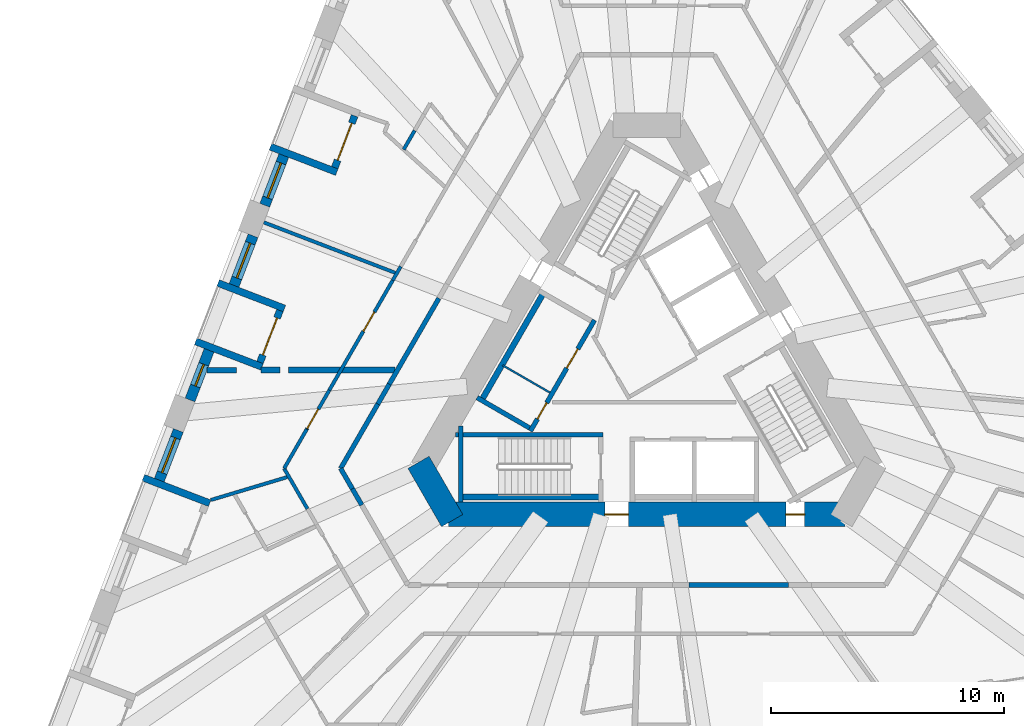
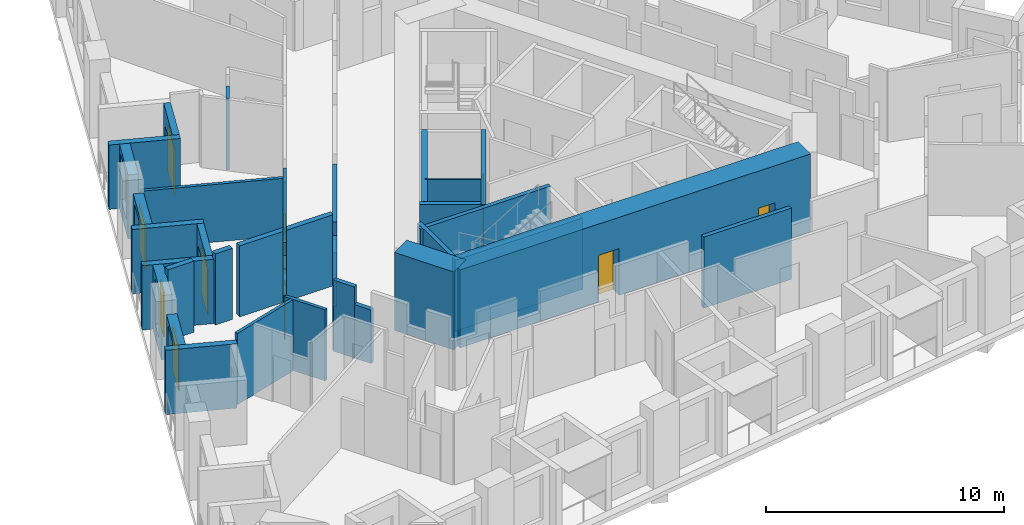
# One storey, part 4 of 14: 36 walls, 8 doors, 4 windows, 12 openings.
"""IFC4 building model written with IfcOpenShell, lengths in metres."""

from ifc_helpers import new_model, si_unit, direction, frame, frame_2d, origin, place, context, subcontext, project, spatial, polyline, rectangle, outline, extrude, material, layer, layer_set, type_object, element, fill, save


model = new_model("IFC4")

# Units and contexts
model_context = context("Model", 3, precision=1e-05, world=origin(), true_north=direction((0.0, 1.0)))
body_context = subcontext(model_context, "Body", "Model", "MODEL_VIEW")
ifc_project = project(units=[si_unit("LENGTHUNIT", "METRE"), si_unit("AREAUNIT", "SQUARE_METRE"), si_unit("VOLUMEUNIT", "CUBIC_METRE"), si_unit("PLANEANGLEUNIT", "RADIAN"), si_unit("MASSUNIT", "GRAM", prefix="KILO")], contexts=[model_context])

# Site, building, storey
site_placement = place(None, origin())
site = spatial("IfcSite", under=ifc_project, at=site_placement, CompositionType="ELEMENT")
building_placement = place(site_placement, origin())
building = spatial("IfcBuilding", under=site, at=building_placement, Name="Tramontana Tower", CompositionType="ELEMENT")
storey_placement = place(building_placement, frame((0.0, 0.0, 63.199951171875)))
storey = spatial("IfcBuildingStorey", under=building, at=storey_placement, Name="L13", CompositionType="ELEMENT", Elevation=63.199951171875)

# Wall
ifc_material_1 = material(Name="Concrete 70 MPa", Category="concrete")
ifc_layer_1 = layer(ifc_material_1, 1.050048828125)
ifc_layer_set_1 = layer_set([ifc_layer_1], Name="Core wall 1050 70 MPa")
wall_type_1 = type_object("IfcWallType", Name="Core wall 1050 70 MPa", PredefinedType="SHEAR", material=ifc_layer_set_1)
wall_1_placement = place(storey_placement, frame((-9.793212890625, -3.987548828125, 0.0), z_axis=(0.0, 0.0, 1.0), x_axis=(0.499995765644, -0.866027848477, 0.0)))
element("IfcWall", 1, at=wall_1_placement, inside=storey, type_object=wall_type_1, Name="Core wall C2 L13", PredefinedType="SHEAR", context=body_context, shape_type="SweptSolid", body=[
    extrude(rectangle(XDim=2.88671875, YDim=1.050048828125, at=frame_2d((1.443359375, 0.0))), origin(), (0.0, 0.0, 1.0), 4.0),
])

# Wall, openings, doors
wall_2_placement = place(storey_placement, frame((-8.50146484375, -6.22509765625, 0.0), z_axis=(0.0, 0.0, 1.0), x_axis=(1.0, 0.0, 0.0)))
wall_2 = element("IfcWall", 2, at=wall_2_placement, inside=storey, type_object=wall_type_1, Name="Core wall C3 L13", PredefinedType="SHEAR", context=body_context, shape_type="SweptSolid", body=[
    extrude(rectangle(XDim=17.0029296875, YDim=1.050048828125, at=frame_2d((8.50146484375, 0.0))), origin(), (0.0, 0.0, 1.0), 4.0),
])
opening_1_placement = place(wall_2_placement, frame((6.70654296875, 0.0, 0.0)))
opening_1 = element("IfcOpeningElement", 3, at=opening_1_placement, cuts=wall_2, Name="Opening RG2", PredefinedType="OPENING", context=body_context, shape_type="SweptSolid", body=[
    extrude(rectangle(XDim=1.0, YDim=2.39990234375, at=frame_2d((0.5, 1.199951171875))), frame((0.0, 0.534912109375, 0.0), z_axis=(0.0, -1.0, 0.0), x_axis=(1.0, 0.0, 0.0)), (0.0, 0.0, 1.0), 1.070068359375),
])
opening_2_placement = place(wall_2_placement, frame((14.472412109375, 0.0, 0.0)))
opening_2 = element("IfcOpeningElement", 4, at=opening_2_placement, cuts=wall_2, Name="Opening PD2", PredefinedType="OPENING", context=body_context, shape_type="SweptSolid", body=[
    extrude(rectangle(XDim=0.800048828125, YDim=2.10009765625, at=frame_2d((0.39990234375, 1.050048828125))), frame((0.0, 0.534912109375, 0.0), z_axis=(0.0, -1.0, 0.0), x_axis=(1.0, 0.0, 0.0)), (0.0, 0.0, 1.0), 1.070068359375),
])
ifc_material_2 = material(Name="Painted steel", Category="steel")
door_type_1 = type_object("IfcDoorType", Name="CUPBOARD DOOR 800", OperationType="SINGLE_SWING_LEFT", PredefinedType="DOOR", material=ifc_material_2)
door_1_placement = place(opening_2_placement, origin())
door_1 = element("IfcDoor", 5, at=door_1_placement, inside=storey, type_object=door_type_1, Name="Door PD2", OperationType="SINGLE_SWING_LEFT", OverallHeight=2.10009765625, OverallWidth=0.800048828125, PredefinedType="DOOR", context=body_context, shape_type="SweptSolid", body=[
    extrude(rectangle(XDim=0.800048828125, YDim=2.10009765625, at=frame_2d((0.39990234375, 1.050048828125))), frame((0.0, 0.02490234375, 0.0), z_axis=(0.0, -1.0, 0.0), x_axis=(1.0, 0.0, 0.0)), (0.0, 0.0, 1.0), 0.050048828125),
])
fill(opening_2, door_1)
ifc_material_3 = material(Name="Painted steel", Category="steel")
door_type_2 = type_object("IfcDoorType", Name="RING DOOR 1000", OperationType="SINGLE_SWING_LEFT", PredefinedType="DOOR", material=ifc_material_3)
door_2_placement = place(opening_1_placement, origin())
door_2 = element("IfcDoor", 6, at=door_2_placement, inside=storey, type_object=door_type_2, Name="Door RG2", OperationType="SINGLE_SWING_LEFT", OverallHeight=2.39990234375, OverallWidth=1.0, PredefinedType="DOOR", context=body_context, shape_type="SweptSolid", body=[
    extrude(rectangle(XDim=1.0, YDim=2.39990234375, at=frame_2d((0.5, 1.199951171875))), frame((0.0, 0.02490234375, 0.0), z_axis=(0.0, -1.0, 0.0), x_axis=(1.0, 0.0, 0.0)), (0.0, 0.0, 1.0), 0.050048828125),
])
fill(opening_1, door_2)

# Walls
ifc_material_4 = material(Name="Blockwork", Category="masonry")
ifc_layer_2 = layer(ifc_material_4, 0.199951171875)
ifc_layer_set_2 = layer_set([ifc_layer_2], Name="ENTRY WALL 200")
wall_type_2 = type_object("IfcWallType", Name="ENTRY WALL 200", PredefinedType="SOLIDWALL", material=ifc_layer_set_2)
wall_3_placement = place(storey_placement, frame((6.076171875, -9.25, 0.0), z_axis=(0.0, 0.0, 1.0), x_axis=(-1.0, 0.0, 0.0)))
element("IfcWall", 7, at=wall_3_placement, inside=storey, type_object=wall_type_2, Name="Wall v11-ew2-2", PredefinedType="SOLIDWALL", context=body_context, shape_type="SweptSolid", body=[
    extrude(rectangle(XDim=4.2568359375, YDim=0.199951171875, at=frame_2d((2.12841796875, 0.0))), origin(), (0.0, 0.0, 1.0), 3.650146484375),
])
wall_4_placement = place(storey_placement, frame((-12.228515625, -5.819580078125, 0.0), z_axis=(0.0, 0.0, 1.0), x_axis=(-0.499923776705, 0.866069406852, 0.0)))
element("IfcWall", 8, at=wall_4_placement, inside=storey, type_object=wall_type_2, Name="Wall v11-ew3-4", PredefinedType="SOLIDWALL", context=body_context, shape_type="SweptSolid", body=[
    extrude(rectangle(XDim=0.804931640625, YDim=0.199951171875, at=frame_2d((0.40234375, 0.0))), origin(), (0.0, 0.0, 1.0), 2.75),
])
wall_5_placement = place(storey_placement, frame((-12.630859375, -5.12255859375, 0.0), z_axis=(0.0, 0.0, 1.0), x_axis=(-0.500099969036, 0.865967678941, 0.0)))
element("IfcWall", 9, at=wall_5_placement, inside=storey, type_object=wall_type_2, Name="Wall v11-ew3-5", PredefinedType="SOLIDWALL", context=body_context, shape_type="SweptSolid", body=[
    extrude(rectangle(XDim=1.007568359375, YDim=0.199951171875, at=frame_2d((0.50390625, 0.0))), origin(), (0.0, 0.0, 1.0), 3.650146484375),
])
wall_6_placement = place(storey_placement, frame((-13.134765625, -4.25, 0.0), z_axis=(0.0, 0.0, 1.0), x_axis=(0.50003154259, 0.866007191896, 0.0)))
element("IfcWall", 10, at=wall_6_placement, inside=storey, type_object=wall_type_2, Name="Wall v11-ew4-0", PredefinedType="SOLIDWALL", context=body_context, shape_type="SweptSolid", body=[
    extrude(rectangle(XDim=3.190673828125, YDim=0.199951171875, at=frame_2d((1.59521484375, 0.0))), origin(), (0.0, 0.0, 1.0), 3.650146484375),
])
wall_7_placement = place(storey_placement, frame((-11.539306640625, -1.48681640625, 0.0), z_axis=(0.0, 0.0, 1.0), x_axis=(0.499966601515, 0.86604468555, 0.0)))
element("IfcWall", 11, at=wall_7_placement, inside=storey, type_object=wall_type_2, Name="Wall v11-ew4-1", PredefinedType="SOLIDWALL", context=body_context, shape_type="SweptSolid", body=[
    extrude(rectangle(XDim=0.98095703125, YDim=0.199951171875, at=frame_2d((0.490478515625, 0.0))), origin(), (0.0, 0.0, 1.0), 2.75),
])
wall_8_placement = place(storey_placement, frame((-11.048828125, -0.63720703125, 0.0), z_axis=(0.0, 0.0, 1.0), x_axis=(0.500000470374, 0.866025132214, 0.0)))
element("IfcWall", 12, at=wall_8_placement, inside=storey, type_object=wall_type_2, Name="Wall v11-ew4-2", PredefinedType="SOLIDWALL", context=body_context, shape_type="SweptSolid", body=[
    extrude(rectangle(XDim=4.2568359375, YDim=0.199951171875, at=frame_2d((2.12841796875, 0.0))), origin(), (0.0, 0.0, 1.0), 3.650146484375),
])

# Wall, opening, window
ifc_material_5 = material(Name="Precast concrete 60 MPa", Category="concrete")
ifc_layer_3 = layer(ifc_material_5, 0.449951171875)
ifc_layer_set_3 = layer_set([ifc_layer_3], Name="Precast concrete 60 MPa, 450 mm")
wall_type_3 = type_object("IfcWallType", Name="EW1 Stone-faced precast wall 450", PredefinedType="SOLIDWALL", material=ifc_layer_set_3)
wall_9_placement = place(storey_placement, frame((-15.572021484375, 9.1728515625, 0.0), z_axis=(0.0, 0.0, 1.0), x_axis=(-0.358355550725, -0.933585185864, 0.0)))
wall_9 = element("IfcWall", 13, at=wall_9_placement, inside=storey, type_object=wall_type_3, Name="External wall L13 face 0 bay 3", PredefinedType="SOLIDWALL", context=body_context, shape_type="SweptSolid", body=[
    extrude(rectangle(XDim=2.282958984375, YDim=0.449951171875, at=frame_2d((1.1416015625, 0.0))), origin(), (0.0, 0.0, 1.0), 3.300048828125),
])
opening_3_placement = place(wall_9_placement, frame((0.341552734375, 0.0, 0.699951171875)))
opening_3 = element("IfcOpeningElement", 14, at=opening_3_placement, cuts=wall_9, Name="Opening M1", PredefinedType="OPENING", context=body_context, shape_type="SweptSolid", body=[
    extrude(rectangle(XDim=1.60009765625, YDim=2.300048828125, at=frame_2d((0.800048828125, 1.14990234375))), frame((0.0, 0.23486328125, 0.0), z_axis=(0.0, -1.0, 0.0), x_axis=(1.0, 0.0, 0.0)), (0.0, 0.0, 1.0), 0.469970703125),
])
ifc_material_6 = material(Name="Aluminum frame, double glazing unit", Category="aluminium")
window_type_1 = type_object("IfcWindowType", Name="M1 Window 1.6 x 2.3", PartitioningType="SINGLE_PANEL", PredefinedType="WINDOW", material=ifc_material_6)
window_1_placement = place(opening_3_placement, origin())
window_1 = element("IfcWindow", 15, at=window_1_placement, inside=storey, type_object=window_type_1, Name="Window M1 L13 face 0 module 9", OverallHeight=2.300048828125, OverallWidth=1.60009765625, PartitioningType="SINGLE_PANEL", PredefinedType="WINDOW", context=body_context, shape_type="SweptSolid", body=[
    extrude(rectangle(XDim=1.60009765625, YDim=2.300048828125, at=frame_2d((0.800048828125, 1.14990234375))), frame((0.0, 0.030029296875, 0.0), z_axis=(0.0, -1.0, 0.0), x_axis=(1.0, 0.0, 0.0)), (0.0, 0.0, 1.0), 0.06005859375),
])
fill(opening_3, window_1)

wall_10_placement = place(storey_placement, frame((-16.891845703125, 5.734375, 0.0), z_axis=(0.0, 0.0, 1.0), x_axis=(-0.358355550725, -0.933585185864, 0.0)))
wall_10 = element("IfcWall", 16, at=wall_10_placement, inside=storey, type_object=wall_type_3, Name="External wall L13 face 0 bay 4", PredefinedType="SOLIDWALL", context=body_context, shape_type="SweptSolid", body=[
    extrude(rectangle(XDim=2.282958984375, YDim=0.449951171875, at=frame_2d((1.1416015625, 0.0))), origin(), (0.0, 0.0, 1.0), 3.300048828125),
])
opening_4_placement = place(wall_10_placement, frame((0.341552734375, 0.0, 0.699951171875)))
opening_4 = element("IfcOpeningElement", 17, at=opening_4_placement, cuts=wall_10, Name="Opening M1", PredefinedType="OPENING", context=body_context, shape_type="SweptSolid", body=[
    extrude(rectangle(XDim=1.60009765625, YDim=2.300048828125, at=frame_2d((0.800048828125, 1.14990234375))), frame((0.0, 0.23486328125, 0.0), z_axis=(0.0, -1.0, 0.0), x_axis=(1.0, 0.0, 0.0)), (0.0, 0.0, 1.0), 0.469970703125),
])
window_2_placement = place(opening_4_placement, origin())
window_2 = element("IfcWindow", 18, at=window_2_placement, inside=storey, type_object=window_type_1, Name="Window M1 L13 face 0 module 10", OverallHeight=2.300048828125, OverallWidth=1.60009765625, PartitioningType="SINGLE_PANEL", PredefinedType="WINDOW", context=body_context, shape_type="SweptSolid", body=[
    extrude(rectangle(XDim=1.60009765625, YDim=2.300048828125, at=frame_2d((0.800048828125, 1.14990234375))), frame((0.0, 0.030029296875, 0.0), z_axis=(0.0, -1.0, 0.0), x_axis=(1.0, 0.0, 0.0)), (0.0, 0.0, 1.0), 0.06005859375),
])
fill(opening_4, window_2)

wall_11_placement = place(storey_placement, frame((-18.779052734375, 0.818115234375, 0.0), z_axis=(0.0, 0.0, 1.0), x_axis=(-0.358355550725, -0.933585185864, 0.0)))
wall_11 = element("IfcWall", 19, at=wall_11_placement, inside=storey, type_object=wall_type_3, Name="External wall L13 face 0 bay 4", PredefinedType="SOLIDWALL", context=body_context, shape_type="SweptSolid", body=[
    extrude(rectangle(XDim=2.282958984375, YDim=0.449951171875, at=frame_2d((1.1416015625, 0.0))), origin(), (0.0, 0.0, 1.0), 3.300048828125),
])
opening_5_placement = place(wall_11_placement, frame((0.6416015625, 0.0, 0.699951171875)))
opening_5 = element("IfcOpeningElement", 20, at=opening_5_placement, cuts=wall_11, Name="Opening N1", PredefinedType="OPENING", context=body_context, shape_type="SweptSolid", body=[
    extrude(rectangle(XDim=1.0, YDim=2.300048828125, at=frame_2d((0.5, 1.14990234375))), frame((0.0, 0.23486328125, 0.0), z_axis=(0.0, -1.0, 0.0), x_axis=(1.0, 0.0, 0.0)), (0.0, 0.0, 1.0), 0.469970703125),
])
ifc_material_7 = material(Name="Aluminum frame, double glazing unit", Category="aluminium")
window_type_2 = type_object("IfcWindowType", Name="N1 Window 1 x 2.3", PartitioningType="SINGLE_PANEL", PredefinedType="WINDOW", material=ifc_material_7)
window_3_placement = place(opening_5_placement, origin())
window_3 = element("IfcWindow", 21, at=window_3_placement, inside=storey, type_object=window_type_2, Name="Window N1 L13 face 0 module 12", OverallHeight=2.300048828125, OverallWidth=1.0, PartitioningType="SINGLE_PANEL", PredefinedType="WINDOW", context=body_context, shape_type="SweptSolid", body=[
    extrude(rectangle(XDim=1.0, YDim=2.300048828125, at=frame_2d((0.5, 1.14990234375))), frame((0.0, 0.030029296875, 0.0), z_axis=(0.0, -1.0, 0.0), x_axis=(1.0, 0.0, 0.0)), (0.0, 0.0, 1.0), 0.06005859375),
])
fill(opening_5, window_3)

wall_12_placement = place(storey_placement, frame((-20.098876953125, -2.6201171875, 0.0), z_axis=(0.0, 0.0, 1.0), x_axis=(-0.358355550725, -0.933585185864, 0.0)))
wall_12 = element("IfcWall", 22, at=wall_12_placement, inside=storey, type_object=wall_type_3, Name="External wall L13 face 0 bay 5", PredefinedType="SOLIDWALL", context=body_context, shape_type="SweptSolid", body=[
    extrude(rectangle(XDim=2.282958984375, YDim=0.449951171875, at=frame_2d((1.1416015625, 0.0))), origin(), (0.0, 0.0, 1.0), 3.300048828125),
])
opening_6_placement = place(wall_12_placement, frame((0.341552734375, 0.0, 0.699951171875)))
opening_6 = element("IfcOpeningElement", 23, at=opening_6_placement, cuts=wall_12, Name="Opening M1", PredefinedType="OPENING", context=body_context, shape_type="SweptSolid", body=[
    extrude(rectangle(XDim=1.60009765625, YDim=2.300048828125, at=frame_2d((0.800048828125, 1.14990234375))), frame((0.0, 0.23486328125, 0.0), z_axis=(0.0, -1.0, 0.0), x_axis=(1.0, 0.0, 0.0)), (0.0, 0.0, 1.0), 0.469970703125),
])
window_4_placement = place(opening_6_placement, origin())
window_4 = element("IfcWindow", 24, at=window_4_placement, inside=storey, type_object=window_type_1, Name="Window M1 L13 face 0 module 13", OverallHeight=2.300048828125, OverallWidth=1.60009765625, PartitioningType="SINGLE_PANEL", PredefinedType="WINDOW", context=body_context, shape_type="SweptSolid", body=[
    extrude(rectangle(XDim=1.60009765625, YDim=2.300048828125, at=frame_2d((0.800048828125, 1.14990234375))), frame((0.0, 0.030029296875, 0.0), z_axis=(0.0, -1.0, 0.0), x_axis=(1.0, 0.0, 0.0)), (0.0, 0.0, 1.0), 0.06005859375),
])
fill(opening_6, window_4)

# Wall, opening, door
ifc_material_8 = material(Name="Precast concrete 60 MPa", Category="concrete")
ifc_layer_4 = layer(ifc_material_8, 0.300048828125)
ifc_layer_set_4 = layer_set([ifc_layer_4], Name="LW1 Stone-faced loggia wall 300")
wall_type_4 = type_object("IfcWallType", Name="LW1 Stone-faced loggia wall 300", PredefinedType="SOLIDWALL", material=ifc_layer_set_4)
wall_13_placement = place(storey_placement, frame((-12.533447265625, 10.880126953125, 0.0), z_axis=(0.0, 0.0, 1.0), x_axis=(-0.35838856932, -0.933572511046, 0.0)))
wall_13 = element("IfcWall", 25, at=wall_13_placement, inside=storey, type_object=wall_type_4, Name="Loggia wall L13 G1S0.7", PredefinedType="SOLIDWALL", context=body_context, shape_type="SweptSolid", body=[
    extrude(rectangle(XDim=2.3828125, YDim=0.300048828125, at=frame_2d((1.19140625, 0.0))), origin(), (0.0, 0.0, 1.0), 3.300048828125),
])
opening_7_placement = place(wall_13_placement, frame((0.341552734375, 0.0, 0.0)))
opening_7 = element("IfcOpeningElement", 26, at=opening_7_placement, cuts=wall_13, Name="Opening BD-1S0-07", PredefinedType="OPENING", context=body_context, shape_type="SweptSolid", body=[
    extrude(rectangle(XDim=1.699951171875, YDim=2.39990234375, at=frame_2d((0.85009765625, 1.199951171875))), frame((0.0, 0.159912109375, 0.0), z_axis=(0.0, -1.0, 0.0), x_axis=(1.0, 0.0, 0.0)), (0.0, 0.0, 1.0), 0.320068359375),
])
ifc_material_9 = material(Name="Aluminum frame, double glazing unit", Category="aluminium")
door_type_3 = type_object("IfcDoorType", Name="BD1 Sliding door 1.7 x 2.4", OperationType="SLIDING_TO_LEFT", PredefinedType="DOOR", material=ifc_material_9)
door_3_placement = place(opening_7_placement, origin())
door_3 = element("IfcDoor", 27, at=door_3_placement, inside=storey, type_object=door_type_3, Name="Loggia door L13 G1S0.7", OperationType="SLIDING_TO_LEFT", OverallHeight=2.39990234375, OverallWidth=1.699951171875, PredefinedType="DOOR", context=body_context, shape_type="SweptSolid", body=[
    extrude(rectangle(XDim=1.699951171875, YDim=2.39990234375, at=frame_2d((0.85009765625, 1.199951171875))), frame((0.0, 0.02490234375, 0.0), z_axis=(0.0, -1.0, 0.0), x_axis=(1.0, 0.0, 0.0)), (0.0, 0.0, 1.0), 0.050048828125),
])
fill(opening_7, door_3)

# Wall
wall_14_placement = place(storey_placement, frame((-16.1484375, 9.5546875, 0.0), z_axis=(0.0, 0.0, 1.0), x_axis=(0.933580593625, -0.358367514161, 0.0)))
element("IfcWall", 28, at=wall_14_placement, inside=storey, type_object=wall_type_4, Name="Loggia return L13 G1S0.7b", PredefinedType="SOLIDWALL", context=body_context, shape_type="SweptSolid", body=[
    extrude(rectangle(XDim=3.050048828125, YDim=0.300048828125, at=frame_2d((1.52490234375, 0.0))), origin(), (0.0, 0.0, 1.0), 3.300048828125),
])

# Wall, opening, door
wall_15_placement = place(storey_placement, frame((-15.740478515625, 2.525634765625, 0.0), z_axis=(0.0, 0.0, 1.0), x_axis=(-0.35829926872, -0.933606787697, 0.0)))
wall_15 = element("IfcWall", 29, at=wall_15_placement, inside=storey, type_object=wall_type_4, Name="Loggia wall L13 G1S0.10", PredefinedType="SOLIDWALL", context=body_context, shape_type="SweptSolid", body=[
    extrude(rectangle(XDim=2.3828125, YDim=0.300048828125, at=frame_2d((1.19140625, 0.0))), origin(), (0.0, 0.0, 1.0), 3.300048828125),
])
opening_8_placement = place(wall_15_placement, frame((0.341552734375, 0.0, 0.0)))
opening_8 = element("IfcOpeningElement", 30, at=opening_8_placement, cuts=wall_15, Name="Opening BD-1S0-10", PredefinedType="OPENING", context=body_context, shape_type="SweptSolid", body=[
    extrude(rectangle(XDim=1.699951171875, YDim=2.39990234375, at=frame_2d((0.85009765625, 1.199951171875))), frame((0.0, 0.159912109375, 0.0), z_axis=(0.0, -1.0, 0.0), x_axis=(1.0, 0.0, 0.0)), (0.0, 0.0, 1.0), 0.320068359375),
])
door_4_placement = place(opening_8_placement, origin())
door_4 = element("IfcDoor", 31, at=door_4_placement, inside=storey, type_object=door_type_3, Name="Loggia door L13 G1S0.10", OperationType="SLIDING_TO_LEFT", OverallHeight=2.39990234375, OverallWidth=1.699951171875, PredefinedType="DOOR", context=body_context, shape_type="SweptSolid", body=[
    extrude(rectangle(XDim=1.699951171875, YDim=2.39990234375, at=frame_2d((0.85009765625, 1.199951171875))), frame((0.0, 0.02490234375, 0.0), z_axis=(0.0, -1.0, 0.0), x_axis=(1.0, 0.0, 0.0)), (0.0, 0.0, 1.0), 0.050048828125),
])
fill(opening_8, door_4)

# Walls
for number, where, z_axis, x_axis, name in (
    (32, (-18.39404296875, 3.704833984375, 0.0), (0.0, 0.0, 1.0), (0.933580593625, -0.358367514161, 0.0), "Loggia return L13 G1S0.10a"),
    (33, (-19.35546875, 1.2001953125, 0.0), (0.0, 0.0, 1.0), (0.933580593625, -0.358367514161, 0.0), "Loggia return L13 G1S0.10b"),
    (34, (-21.60107421875, -4.649658203125, 0.0), (0.0, 0.0, 1.0), (0.933580593625, -0.358367514161, 0.0), "Loggia return L13 G1S0.13a"),
):
    element("IfcWall", number, at=place(storey_placement, frame(where, z_axis=z_axis, x_axis=x_axis)), inside=storey, type_object=wall_type_4, Name=name, PredefinedType="SOLIDWALL", context=body_context, shape_type="SweptSolid", body=[
        extrude(rectangle(XDim=3.050048828125, YDim=0.300048828125, at=frame_2d((1.52490234375, 0.0))), origin(), (0.0, 0.0, 1.0), 3.300048828125),
    ])
ifc_material_10 = material(Name="Gypsum board partition")
ifc_layer_5 = layer(ifc_material_10, 0.14990234375)
ifc_layer_set_5 = layer_set([ifc_layer_5], Name="PARTITION 150")
wall_type_5 = type_object("IfcWallType", Name="PARTITION 150", PredefinedType="PARTITIONING", material=ifc_layer_set_5)
wall_16_placement = place(storey_placement, frame((-18.699951171875, -5.6025390625, 0.0), z_axis=(0.0, 0.0, 1.0), x_axis=(0.957930571871, 0.287000033929, 0.0)))
element("IfcWall", 35, at=wall_16_placement, inside=storey, type_object=wall_type_5, Name="Wall v11-pw01", PredefinedType="PARTITIONING", context=body_context, shape_type="SweptSolid", body=[
    extrude(rectangle(XDim=3.412841796875, YDim=0.14990234375, at=frame_2d((1.70654296875, 0.0))), origin(), (0.0, 0.0, 1.0), 3.650146484375),
])
wall_17_placement = place(storey_placement, frame((-15.5595703125, -4.25, 0.0), z_axis=(0.0, 0.0, 1.0), x_axis=(0.500021055713, 0.866013246922, 0.0)))
element("IfcWall", 36, at=wall_17_placement, inside=storey, type_object=wall_type_5, Name="Wall v11-pw05-0", PredefinedType="PARTITIONING", context=body_context, shape_type="SweptSolid", body=[
    extrude(rectangle(XDim=1.9345703125, YDim=0.14990234375, at=frame_2d((0.96728515625, 0.0))), origin(), (0.0, 0.0, 1.0), 3.650146484375),
])

# Wall, opening, door
wall_18_placement = place(storey_placement, frame((-14.59228515625, -2.57470703125, 0.0), z_axis=(0.0, 0.0, 1.0), x_axis=(0.499976186015, 0.866039152359, 0.0)))
wall_18 = element("IfcWall", 37, at=wall_18_placement, inside=storey, type_object=wall_type_5, Name="Wall v11-pw05-1", PredefinedType="PARTITIONING", context=body_context, shape_type="SweptSolid", body=[
    extrude(outline(polyline([(0.0, 0.0), (1.943359375, 0.0), (1.943603515625, 2.75), (0.9931640625, 2.75), (0.9931640625, 3.650146484375), (0.0, 3.650146484375), (0.0, 0.0)])), frame((0.0, 0.074951171875, 0.0), z_axis=(0.0, -1.0, 0.0), x_axis=(1.0, 0.0, 0.0)), (0.0, 0.0, 1.0), 0.14990234375),
])
opening_9_placement = place(wall_18_placement, frame((0.050048828125, 0.0, 0.0)))
opening_9 = element("IfcOpeningElement", 38, at=opening_9_placement, cuts=wall_18, Name="Opening B1B-16", PredefinedType="OPENING", context=body_context, shape_type="SweptSolid", body=[
    extrude(rectangle(XDim=0.949951171875, YDim=2.39990234375, at=frame_2d((0.47509765625, 1.199951171875))), frame((0.0, 0.0849609375, 0.0), z_axis=(0.0, -1.0, 0.0), x_axis=(1.0, 0.0, 0.0)), (0.0, 0.0, 1.0), 0.169921875),
])
ifc_material_11 = material(Name="Painted timber", Category="wood")
door_type_4 = type_object("IfcDoorType", Name="DOOR ROOM 950", OperationType="SINGLE_SWING_LEFT", PredefinedType="DOOR", material=ifc_material_11)
door_5_placement = place(opening_9_placement, origin())
door_5 = element("IfcDoor", 39, at=door_5_placement, inside=storey, type_object=door_type_4, Name="Door B1B-16", OperationType="SINGLE_SWING_RIGHT", OverallHeight=2.39990234375, OverallWidth=0.949951171875, PredefinedType="DOOR", context=body_context, shape_type="SweptSolid", body=[
    extrude(rectangle(XDim=0.949951171875, YDim=2.39990234375, at=frame_2d((0.47509765625, 1.199951171875))), frame((0.0, 0.02490234375, 0.0), z_axis=(0.0, -1.0, 0.0), x_axis=(1.0, 0.0, 0.0)), (0.0, 0.0, 1.0), 0.050048828125),
])
fill(opening_9, door_5)

wall_19_placement = place(storey_placement, frame((-13.62060546875, -0.8916015625, 0.0), z_axis=(0.0, 0.0, 1.0), x_axis=(0.499983886315, 0.866034706825, 0.0)))
wall_19 = element("IfcWall", 40, at=wall_19_placement, inside=storey, type_object=wall_type_5, Name="Wall v11-pw05-2", PredefinedType="PARTITIONING", context=body_context, shape_type="SweptSolid", body=[
    extrude(rectangle(XDim=5.443115234375, YDim=0.14990234375, at=frame_2d((2.7216796875, 0.0))), origin(), (0.0, 0.0, 1.0), 3.650146484375),
])
opening_10_placement = place(wall_19_placement, frame((2.91845703125, 0.0, 0.0)))
opening_10 = element("IfcOpeningElement", 41, at=opening_10_placement, cuts=wall_19, Name="Opening B1B-08", PredefinedType="OPENING", context=body_context, shape_type="SweptSolid", body=[
    extrude(rectangle(XDim=0.949951171875, YDim=2.39990234375, at=frame_2d((0.47509765625, 1.199951171875))), frame((0.0, 0.0849609375, 0.0), z_axis=(0.0, -1.0, 0.0), x_axis=(1.0, 0.0, 0.0)), (0.0, 0.0, 1.0), 0.169921875),
])
door_6_placement = place(opening_10_placement, origin())
door_6 = element("IfcDoor", 42, at=door_6_placement, inside=storey, type_object=door_type_4, Name="Door B1B-08", OperationType="SINGLE_SWING_RIGHT", OverallHeight=2.39990234375, OverallWidth=0.949951171875, PredefinedType="DOOR", context=body_context, shape_type="SweptSolid", body=[
    extrude(rectangle(XDim=0.949951171875, YDim=2.39990234375, at=frame_2d((0.47509765625, 1.199951171875))), frame((0.0, 0.02490234375, 0.0), z_axis=(0.0, -1.0, 0.0), x_axis=(1.0, 0.0, 0.0)), (0.0, 0.0, 1.0), 0.050048828125),
])
fill(opening_10, door_6)

# Walls
wall_20_placement = place(storey_placement, frame((-10.899169921875, 3.822265625, 0.0), z_axis=(0.0, 0.0, 1.0), x_axis=(0.500134748329, 0.865947592822, 0.0)))
element("IfcWall", 43, at=wall_20_placement, inside=storey, type_object=wall_type_5, Name="Wall v11-pw05-3", PredefinedType="PARTITIONING", context=body_context, shape_type="SweptSolid", body=[
    extrude(rectangle(XDim=0.683349609375, YDim=0.14990234375, at=frame_2d((0.341796875, 0.0))), origin(), (0.0, 0.0, 1.0), 2.949951171875),
])
wall_21_placement = place(storey_placement, frame((-14.55810546875, -5.984619140625, 0.0), z_axis=(0.0, 0.0, 1.0), x_axis=(-0.499993265928, 0.866029291668, 0.0)))
element("IfcWall", 44, at=wall_21_placement, inside=storey, type_object=wall_type_5, Name="Wall v11-pw11-4", PredefinedType="PARTITIONING", context=body_context, shape_type="SweptSolid", body=[
    extrude(rectangle(XDim=2.0029296875, YDim=0.14990234375, at=frame_2d((1.00146484375, 0.0))), origin(), (0.0, 0.0, 1.0), 3.650146484375),
])
wall_22_placement = place(storey_placement, frame((-10.799072265625, 4.1455078125, 0.0), z_axis=(0.0, 0.0, 1.0), x_axis=(-0.933580095579, 0.358368811616, 0.0)))
element("IfcWall", 45, at=wall_22_placement, inside=storey, type_object=wall_type_5, Name="Wall v11-pw16-0", PredefinedType="PARTITIONING", context=body_context, shape_type="SweptSolid", body=[
    extrude(rectangle(XDim=6.032470703125, YDim=0.14990234375, at=frame_2d((3.01611328125, 0.0))), origin(), (0.0, 0.0, 1.0), 2.949951171875),
])
wall_23_placement = place(storey_placement, frame((-10.4306640625, 9.43359375, 0.0), z_axis=(0.0, 0.0, 1.0), x_axis=(0.499962016178, 0.866047332643, 0.0)))
element("IfcWall", 46, at=wall_23_placement, inside=storey, type_object=wall_type_5, Name="Wall v11-pw18-0", PredefinedType="PARTITIONING", context=body_context, shape_type="SweptSolid", body=[
    extrude(rectangle(XDim=0.94091796875, YDim=0.14990234375, at=frame_2d((0.470458984375, 0.0))), origin(), (0.0, 0.0, 1.0), 3.650146484375),
])
ifc_material_12 = material(Name="Gypsum board partition")
ifc_layer_6 = layer(ifc_material_12, 0.080078125)
ifc_layer_set_6 = layer_set([ifc_layer_6], Name="PARTITION 80")
wall_type_6 = type_object("IfcWallType", Name="PARTITION 80", PredefinedType="PARTITIONING", material=ifc_layer_set_6)
wall_24_placement = place(storey_placement, frame((-4.15478515625, -0.99609375, 0.0), z_axis=(0.0, 0.0, 1.0), x_axis=(-0.866016039709, 0.500016218704, 0.0)))
element("IfcWall", 47, at=wall_24_placement, inside=storey, type_object=wall_type_6, Name="Wall row0-split", PredefinedType="PARTITIONING", context=body_context, shape_type="SweptSolid", body=[
    extrude(rectangle(XDim=2.35009765625, YDim=0.080078125, at=frame_2d((1.175048828125, 0.0))), origin(), (0.0, 0.0, 1.0), 3.650146484375),
])
ifc_material_13 = material(Name="Blockwork", Category="masonry")
ifc_layer_7 = layer(ifc_material_13, 0.25)
ifc_layer_set_7 = layer_set([ifc_layer_7], Name="PARTY WALL 250")
wall_type_7 = type_object("IfcWallType", Name="PARTY WALL 250", PredefinedType="SOLIDWALL", material=ifc_layer_set_7)
wall_25_placement = place(storey_placement, frame((-17.61181640625, -0.034912109375, 0.0), z_axis=(0.0, 0.0, 1.0), x_axis=(-0.99999770915, -0.002140489356, 0.0)))
element("IfcWall", 48, at=wall_25_placement, inside=storey, type_object=wall_type_7, Name="Wall v11-pw02", PredefinedType="SOLIDWALL", context=body_context, shape_type="SweptSolid", body=[
    extrude(rectangle(XDim=1.254638671875, YDim=0.25, at=frame_2d((0.62744140625, 0.0))), origin(), (0.0, 0.0, 1.0), 3.650146484375),
])
wall_26_placement = place(storey_placement, frame((-15.72900390625, -0.03125, 0.0), z_axis=(0.0, 0.0, 1.0), x_axis=(-0.999997894277, -0.002052179789, 0.0)))
element("IfcWall", 49, at=wall_26_placement, inside=storey, type_object=wall_type_7, Name="Wall v11-pw04", PredefinedType="SOLIDWALL", context=body_context, shape_type="SweptSolid", body=[
    extrude(rectangle(XDim=0.832763671875, YDim=0.25, at=frame_2d((0.41650390625, 0.0))), origin(), (0.0, 0.0, 1.0), 3.650146484375),
])
wall_27_placement = place(storey_placement, frame((-10.808837890625, -0.021484375, 0.0), z_axis=(0.0, 0.0, 1.0), x_axis=(-0.999998049656, -0.001975014831, 0.0)))
element("IfcWall", 50, at=wall_27_placement, inside=storey, type_object=wall_type_7, Name="Wall v11-pw15", PredefinedType="SOLIDWALL", context=body_context, shape_type="SweptSolid", body=[
    extrude(rectangle(XDim=4.57373046875, YDim=0.25, at=frame_2d((2.286865234375, 0.0))), origin(), (0.0, 0.0, 1.0), 3.650146484375),
])
ifc_material_14 = material(Name="Concrete 70 MPa", Category="concrete")
ifc_layer_8 = layer(ifc_material_14, 0.25)
ifc_layer_set_8 = layer_set([ifc_layer_8], Name="Concrete 70 MPa, 250 mm")
wall_type_8 = type_object("IfcWallType", Name="RC SHAFT BACK WALL 250", PredefinedType="SOLIDWALL", material=ifc_layer_set_8)
wall_28_placement = place(storey_placement, frame((-8.080078125, -5.47509765625, 0.0), z_axis=(0.0, 0.0, 1.0), x_axis=(1.0, 0.0, 0.0)))
element("IfcWall", 51, at=wall_28_placement, inside=storey, type_object=wall_type_8, Name="Wall st2-back", PredefinedType="SOLIDWALL", context=body_context, shape_type="SweptSolid", body=[
    extrude(rectangle(XDim=6.2001953125, YDim=0.25, at=frame_2d((3.10009765625, 0.0))), origin(), (0.0, 0.0, 1.0), 3.650146484375),
])
wall_29_placement = place(storey_placement, frame((-4.386474609375, 3.352294921875, 0.0), z_axis=(0.0, 0.0, 1.0), x_axis=(-0.500015767406, -0.866016300277, 0.0)))
element("IfcWall", 52, at=wall_29_placement, inside=storey, type_object=wall_type_8, Name="Wall row0-back", PredefinedType="SOLIDWALL", context=body_context, shape_type="SweptSolid", body=[
    extrude(rectangle(XDim=5.499755859375, YDim=0.25, at=frame_2d((2.75, 0.0))), origin(), (0.0, 0.0, 1.0), 3.650146484375),
])
ifc_material_15 = material(Name="Concrete 70 MPa", Category="concrete")
ifc_layer_9 = layer(ifc_material_15, 0.199951171875)
ifc_layer_set_9 = layer_set([ifc_layer_9], Name="Concrete 70 MPa, 200 mm")
wall_type_9 = type_object("IfcWallType", Name="RC STAIR AND SHAFT WALL 200", PredefinedType="SOLIDWALL", material=ifc_layer_set_9)
wall_30_placement = place(storey_placement, frame((-8.198486328125, -2.800048828125, 0.0), z_axis=(0.0, 0.0, 1.0), x_axis=(1.0, 0.0, 0.0)))
element("IfcWall", 53, at=wall_30_placement, inside=storey, type_object=wall_type_9, Name="Wall st2-front", PredefinedType="SOLIDWALL", context=body_context, shape_type="SweptSolid", body=[
    extrude(rectangle(XDim=6.318603515625, YDim=0.199951171875, at=frame_2d((3.1591796875, 0.0))), origin(), (0.0, 0.0, 1.0), 3.650146484375),
])
wall_31_placement = place(storey_placement, frame((-7.97998046875, -2.421875, 0.0), z_axis=(0.0, 0.0, 1.0), x_axis=(0.0, -1.0, 0.0)))
element("IfcWall", 54, at=wall_31_placement, inside=storey, type_object=wall_type_9, Name="Wall st2-far", PredefinedType="SOLIDWALL", context=body_context, shape_type="SweptSolid", body=[
    extrude(rectangle(XDim=3.278076171875, YDim=0.199951171875, at=frame_2d((1.63916015625, 0.0))), origin(), (0.0, 0.0, 1.0), 3.650146484375),
])

# Wall, openings, doors
wall_32_placement = place(storey_placement, frame((-4.9931640625, -2.648193359375, 0.0), z_axis=(0.0, 0.0, 1.0), x_axis=(0.499996545922, 0.866027397988, 0.0)))
wall_32 = element("IfcWall", 55, at=wall_32_placement, inside=storey, type_object=wall_type_9, Name="Wall row0-front", PredefinedType="SOLIDWALL", context=body_context, shape_type="SweptSolid", body=[
    extrude(rectangle(XDim=5.5, YDim=0.199951171875, at=frame_2d((2.75, 0.0))), origin(), (0.0, 0.0, 1.0), 3.650146484375),
])
opening_11_placement = place(wall_32_placement, frame((3.1201171875, 0.0, 0.0)))
opening_11 = element("IfcOpeningElement", 56, at=opening_11_placement, cuts=wall_32, Name="Opening RD-0A", PredefinedType="OPENING", context=body_context, shape_type="SweptSolid", body=[
    extrude(rectangle(XDim=0.949951171875, YDim=2.39990234375, at=frame_2d((0.47509765625, 1.199951171875))), frame((0.0, 0.10986328125, 0.0), z_axis=(0.0, -1.0, 0.0), x_axis=(1.0, 0.0, 0.0)), (0.0, 0.0, 1.0), 0.219970703125),
])
opening_12_placement = place(wall_32_placement, frame((0.60498046875, 0.0, 0.0)))
opening_12 = element("IfcOpeningElement", 57, at=opening_12_placement, cuts=wall_32, Name="Opening RD-0B", PredefinedType="OPENING", context=body_context, shape_type="SweptSolid", body=[
    extrude(rectangle(XDim=0.800048828125, YDim=2.10009765625, at=frame_2d((0.39990234375, 1.050048828125))), frame((0.0, 0.10986328125, 0.0), z_axis=(0.0, -1.0, 0.0), x_axis=(1.0, 0.0, 0.0)), (0.0, 0.0, 1.0), 0.219970703125),
])
door_7_placement = place(opening_12_placement, origin())
door_7 = element("IfcDoor", 58, at=door_7_placement, inside=storey, type_object=door_type_1, Name="Door RD-0B", OperationType="SINGLE_SWING_RIGHT", OverallHeight=2.10009765625, OverallWidth=0.800048828125, PredefinedType="DOOR", context=body_context, shape_type="SweptSolid", body=[
    extrude(rectangle(XDim=0.800048828125, YDim=2.10009765625, at=frame_2d((0.39990234375, 1.050048828125))), frame((0.0, 0.02490234375, 0.0), z_axis=(0.0, -1.0, 0.0), x_axis=(1.0, 0.0, 0.0)), (0.0, 0.0, 1.0), 0.050048828125),
])
fill(opening_12, door_7)
door_8_placement = place(opening_11_placement, origin())
door_8 = element("IfcDoor", 59, at=door_8_placement, inside=storey, type_object=door_type_4, Name="Door RD-0A", OperationType="SINGLE_SWING_LEFT", OverallHeight=2.39990234375, OverallWidth=0.949951171875, PredefinedType="DOOR", context=body_context, shape_type="SweptSolid", body=[
    extrude(rectangle(XDim=0.949951171875, YDim=2.39990234375, at=frame_2d((0.47509765625, 1.199951171875))), frame((0.0, 0.02490234375, 0.0), z_axis=(0.0, -1.0, 0.0), x_axis=(1.0, 0.0, 0.0)), (0.0, 0.0, 1.0), 0.050048828125),
])
fill(opening_11, door_8)

# Wall
wall_33_placement = place(storey_placement, frame((-5.02978515625, -2.51171875, 0.0), z_axis=(0.0, 0.0, 1.0), x_axis=(-0.865997922154, 0.500047596559, 0.0)))
element("IfcWall", 60, at=wall_33_placement, inside=storey, type_object=wall_type_9, Name="Wall row0-side2", PredefinedType="SOLIDWALL", context=body_context, shape_type="SweptSolid", body=[
    extrude(rectangle(XDim=2.599853515625, YDim=0.199951171875, at=frame_2d((1.2998046875, 0.0))), origin(), (0.0, 0.0, 1.0), 3.650146484375),
])

save(model, "model.ifc")
